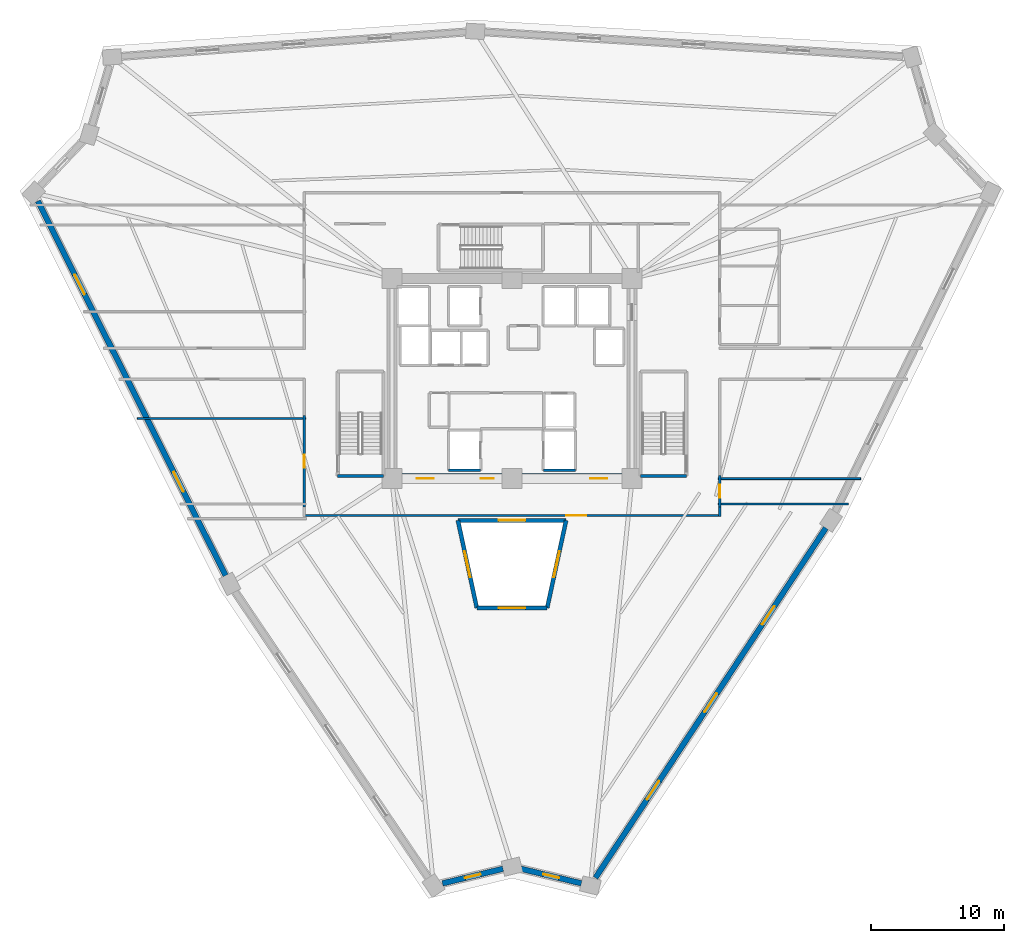
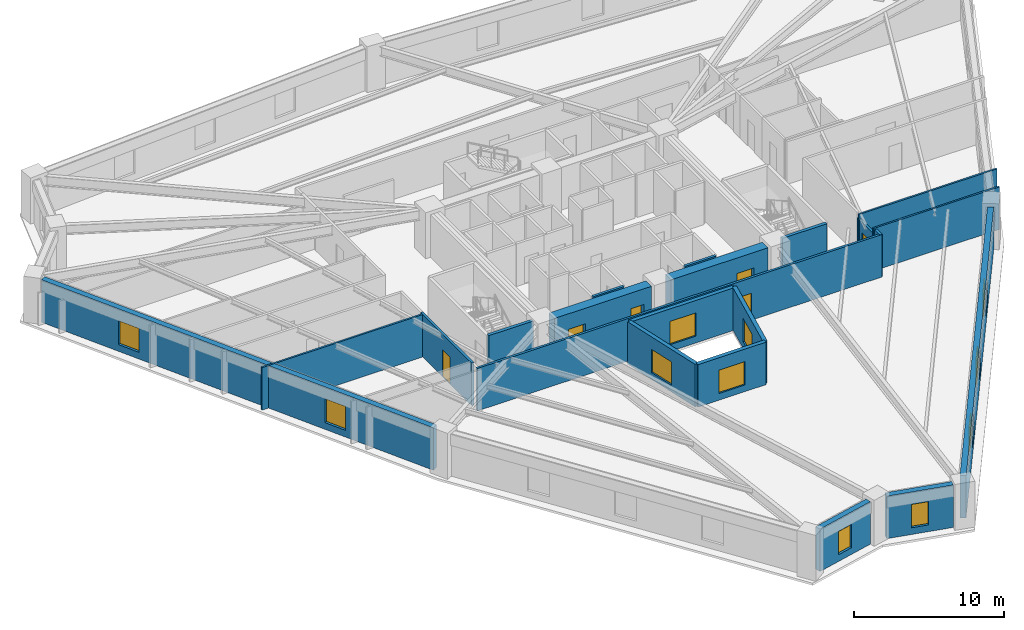
# One storey, part 3 of 8: 21 walls, 11 windows, 6 doors, 17 openings.
"""IFC4 building model written with IfcOpenShell, lengths in metres."""

from ifc_helpers import new_model, si_unit, direction, frame, frame_2d, origin, place, context, subcontext, project, spatial, rectangle, extrude, source, transform, mapped, material, layer, layer_set, type_object, element, fill, save


model = new_model("IFC4")

# Units and contexts
model_context = context("Model", 3, precision=1e-05, world=origin(), true_north=direction((0.0, 1.0)))
body_context = subcontext(model_context, "Body", "Model", "MODEL_VIEW")
ifc_project = project(units=[si_unit("LENGTHUNIT", "METRE"), si_unit("AREAUNIT", "SQUARE_METRE"), si_unit("VOLUMEUNIT", "CUBIC_METRE"), si_unit("PLANEANGLEUNIT", "RADIAN"), si_unit("MASSUNIT", "GRAM", prefix="KILO")], contexts=[model_context])

# Site, building, storey
site_placement = place(None, origin())
site = spatial("IfcSite", under=ifc_project, at=site_placement, CompositionType="ELEMENT")
building_placement = place(site_placement, origin())
building = spatial("IfcBuilding", under=site, at=building_placement, Name="Liaohun Quay Tower", CompositionType="ELEMENT")
storey_placement = place(building_placement, frame((0.0, 0.0, 135.75)))
storey = spatial("IfcBuildingStorey", under=building, at=storey_placement, Name="L35", CompositionType="ELEMENT", Elevation=135.75)

# Wall, opening, window
ifc_material_1 = material(Name="Concrete C50", Category="concrete")
ifc_layer_1 = layer(ifc_material_1, 0.300048828125, Name="Concrete C50", Category="concrete")
ifc_layer_set_1 = layer_set([ifc_layer_1], Name="Concrete C50")
wall_type_1 = type_object("IfcWallType", Name="WAL-ATR-300", PredefinedType="SOLIDWALL", material=ifc_layer_set_1)
wall_1_placement = place(storey_placement, frame((57.364990234375, 36.80810546875, 0.0), z_axis=(0.0, 0.0, 1.0), x_axis=(-0.211351571183, 0.977410105001, 0.0)))
wall_1 = element("IfcWall", 1, at=wall_1_placement, inside=storey, type_object=wall_type_1, Name="L35 Atrium Fire Compartment Wall 1", PredefinedType="SOLIDWALL", context=body_context, shape_type="SweptSolid", body=[
    extrude(rectangle(XDim=6.713623046875, YDim=0.300048828125, at=frame_2d((3.35693359375, 0.0))), origin(), (0.0, 0.0, 1.0), 3.469970703125),
])
shared_shape_1 = source(origin(), body_context, "Body", "SweptSolid", [
    extrude(rectangle(XDim=2.0, YDim=1.89990234375, at=frame_2d((1.0, 0.949951171875))), frame((0.0, 0.159912109375, 0.0), z_axis=(0.0, -1.0, 0.0), x_axis=(1.0, 0.0, 0.0)), (0.0, 0.0, 1.0), 0.320068359375),
])
opening_1_placement = place(wall_1_placement, frame((2.35693359375, 0.0, 0.550048828125)))
opening_1 = element("IfcOpeningElement", 2, at=opening_1_placement, cuts=wall_1, Name="Opening W07", PredefinedType="OPENING", context=body_context, shape_type="MappedRepresentation", body=[
    mapped(shared_shape_1, transform((0.0, 0.0, 0.0), x_axis=(1.0, 0.0, 0.0), y_axis=(0.0, 1.0, 0.0), z_axis=(0.0, 0.0, 1.0), scale=1.0)),
])
ifc_material_2 = material(Name="Class A 180-min fire-resistant insulated glazing", Category="glass")
window_type_1 = type_object("IfcWindowType", Name="WIN-ATR-FIR", PartitioningType="DOUBLE_PANEL_VERTICAL", PredefinedType="WINDOW", material=ifc_material_2)
shared_shape_2 = source(origin(), body_context, "Body", "SweptSolid", [
    extrude(rectangle(XDim=2.0, YDim=1.89990234375, at=frame_2d((1.0, 0.949951171875))), frame((0.0, 0.030029296875, 0.0), z_axis=(0.0, -1.0, 0.0), x_axis=(1.0, 0.0, 0.0)), (0.0, 0.0, 1.0), 0.06005859375),
])
window_1_placement = place(opening_1_placement, origin())
window_1 = element("IfcWindow", 3, at=window_1_placement, inside=storey, type_object=window_type_1, Name="L35 Atrium Fire-Resistant Glazing W07-1", OverallHeight=1.89990234375, OverallWidth=2.0, PartitioningType="DOUBLE_PANEL_VERTICAL", PredefinedType="WINDOW", context=body_context, shape_type="MappedRepresentation", body=[
    mapped(shared_shape_2, transform((0.0, 0.0, 0.0), x_axis=(1.0, 0.0, 0.0), y_axis=(0.0, 1.0, 0.0), z_axis=(0.0, 0.0, 1.0), scale=1.0)),
])
fill(opening_1, window_1)

wall_2_placement = place(storey_placement, frame((55.946044921875, 43.3701171875, 0.0), z_axis=(0.0, 0.0, 1.0), x_axis=(1.0, 0.0, 0.0)))
wall_2 = element("IfcWall", 4, at=wall_2_placement, inside=storey, type_object=wall_type_1, Name="L35 Atrium Fire Compartment Wall 2", PredefinedType="SOLIDWALL", context=body_context, shape_type="SweptSolid", body=[
    extrude(rectangle(XDim=8.10791015625, YDim=0.300048828125, at=frame_2d((4.053955078125, 0.0))), origin(), (0.0, 0.0, 1.0), 3.469970703125),
])
opening_2_placement = place(wall_2_placement, frame((3.053955078125, 0.0, 0.550048828125)))
opening_2 = element("IfcOpeningElement", 5, at=opening_2_placement, cuts=wall_2, Name="Opening W07", PredefinedType="OPENING", context=body_context, shape_type="MappedRepresentation", body=[
    mapped(shared_shape_1, transform((0.0, 0.0, 0.0), x_axis=(1.0, 0.0, 0.0), y_axis=(0.0, 1.0, 0.0), z_axis=(0.0, 0.0, 1.0), scale=1.0)),
])
window_2_placement = place(opening_2_placement, origin())
window_2 = element("IfcWindow", 6, at=window_2_placement, inside=storey, type_object=window_type_1, Name="L35 Atrium Fire-Resistant Glazing W07-2", OverallHeight=1.89990234375, OverallWidth=2.0, PartitioningType="DOUBLE_PANEL_VERTICAL", PredefinedType="WINDOW", context=body_context, shape_type="MappedRepresentation", body=[
    mapped(shared_shape_2, transform((0.0, 0.0, 0.0), x_axis=(1.0, 0.0, 0.0), y_axis=(0.0, 1.0, 0.0), z_axis=(0.0, 0.0, 1.0), scale=1.0)),
])
fill(opening_2, window_2)

wall_3_placement = place(storey_placement, frame((64.053955078125, 43.3701171875, 0.0), z_axis=(0.0, 0.0, 1.0), x_axis=(-0.211351571183, -0.977410105001, 0.0)))
wall_3 = element("IfcWall", 7, at=wall_3_placement, inside=storey, type_object=wall_type_1, Name="L35 Atrium Fire Compartment Wall 3", PredefinedType="SOLIDWALL", context=body_context, shape_type="SweptSolid", body=[
    extrude(rectangle(XDim=6.713623046875, YDim=0.300048828125, at=frame_2d((3.35693359375, 0.0))), origin(), (0.0, 0.0, 1.0), 3.469970703125),
])
opening_3_placement = place(wall_3_placement, frame((2.35693359375, 0.0, 0.550048828125)))
opening_3 = element("IfcOpeningElement", 8, at=opening_3_placement, cuts=wall_3, Name="Opening W07", PredefinedType="OPENING", context=body_context, shape_type="MappedRepresentation", body=[
    mapped(shared_shape_1, transform((0.0, 0.0, 0.0), x_axis=(1.0, 0.0, 0.0), y_axis=(0.0, 1.0, 0.0), z_axis=(0.0, 0.0, 1.0), scale=1.0)),
])
window_3_placement = place(opening_3_placement, origin())
window_3 = element("IfcWindow", 9, at=window_3_placement, inside=storey, type_object=window_type_1, Name="L35 Atrium Fire-Resistant Glazing W07-3", OverallHeight=1.89990234375, OverallWidth=2.0, PartitioningType="DOUBLE_PANEL_VERTICAL", PredefinedType="WINDOW", context=body_context, shape_type="MappedRepresentation", body=[
    mapped(shared_shape_2, transform((0.0, 0.0, 0.0), x_axis=(1.0, 0.0, 0.0), y_axis=(0.0, 1.0, 0.0), z_axis=(0.0, 0.0, 1.0), scale=1.0)),
])
fill(opening_3, window_3)

wall_4_placement = place(storey_placement, frame((62.635009765625, 36.80810546875, 0.0), z_axis=(0.0, 0.0, 1.0), x_axis=(-1.0, 0.0, 0.0)))
wall_4 = element("IfcWall", 10, at=wall_4_placement, inside=storey, type_object=wall_type_1, Name="L35 Atrium Fire Compartment Wall 4", PredefinedType="SOLIDWALL", context=body_context, shape_type="SweptSolid", body=[
    extrude(rectangle(XDim=5.27001953125, YDim=0.300048828125, at=frame_2d((2.635009765625, 0.0))), origin(), (0.0, 0.0, 1.0), 3.469970703125),
])
opening_4_placement = place(wall_4_placement, frame((1.635009765625, 0.0, 0.550048828125)))
opening_4 = element("IfcOpeningElement", 11, at=opening_4_placement, cuts=wall_4, Name="Opening W07", PredefinedType="OPENING", context=body_context, shape_type="MappedRepresentation", body=[
    mapped(shared_shape_1, transform((0.0, 0.0, 0.0), x_axis=(1.0, 0.0, 0.0), y_axis=(0.0, 1.0, 0.0), z_axis=(0.0, 0.0, 1.0), scale=1.0)),
])
window_4_placement = place(opening_4_placement, origin())
window_4 = element("IfcWindow", 12, at=window_4_placement, inside=storey, type_object=window_type_1, Name="L35 Atrium Fire-Resistant Glazing W07-4", OverallHeight=1.89990234375, OverallWidth=2.0, PartitioningType="DOUBLE_PANEL_VERTICAL", PredefinedType="WINDOW", context=body_context, shape_type="MappedRepresentation", body=[
    mapped(shared_shape_2, transform((0.0, 0.0, 0.0), x_axis=(1.0, 0.0, 0.0), y_axis=(0.0, 1.0, 0.0), z_axis=(0.0, 0.0, 1.0), scale=1.0)),
])
fill(opening_4, window_4)

# Wall, opening, door
ifc_material_3 = material(Name="Concrete C60", Category="concrete")
ifc_layer_2 = layer(ifc_material_3, 0.75, Name="Concrete C60", Category="concrete")
ifc_layer_set_2 = layer_set([ifc_layer_2], Name="Concrete C60")
wall_type_2 = type_object("IfcWallType", Name="WAL-COR-Z2", PredefinedType="SHEAR", material=ifc_layer_set_2)
wall_5_placement = place(storey_placement, frame((68.25, 46.5, 0.0), z_axis=(0.0, 0.0, 1.0), x_axis=(-1.0, 0.0, 0.0)))
wall_5 = element("IfcWall", 13, at=wall_5_placement, inside=storey, type_object=wall_type_2, Name="L35 Central Core Shear Wall S-E", PredefinedType="SHEAR", context=body_context, shape_type="SweptSolid", body=[
    extrude(rectangle(XDim=7.5, YDim=0.75, at=frame_2d((3.75, 0.0))), origin(), (0.0, 0.0, 1.0), 3.469970703125),
])
shared_shape_3 = source(origin(), body_context, "Body", "SweptSolid", [
    extrude(rectangle(XDim=1.300048828125, YDim=2.199951171875, at=frame_2d((0.64990234375, 1.10009765625))), frame((0.0, 0.385009765625, 0.0), z_axis=(0.0, -1.0, 0.0), x_axis=(1.0, 0.0, 0.0)), (0.0, 0.0, 1.0), 0.77001953125),
])
opening_5_placement = place(wall_5_placement, frame((1.10009765625, 0.0, 0.0)))
opening_5 = element("IfcOpeningElement", 14, at=opening_5_placement, cuts=wall_5, Name="Opening FD1", PredefinedType="OPENING", context=body_context, shape_type="MappedRepresentation", body=[
    mapped(shared_shape_3, transform((0.0, 0.0, 0.0), x_axis=(1.0, 0.0, 0.0), y_axis=(0.0, 1.0, 0.0), z_axis=(0.0, 0.0, 1.0), scale=1.0)),
])
ifc_material_4 = material(Name="Galvanised steel smokeproof fire door", Category="steel")
door_type_1 = type_object("IfcDoorType", Name="DOR-FFL-1300", OperationType="NOTDEFINED", PredefinedType="DOOR", material=ifc_material_4)
shared_shape_4 = source(origin(), body_context, "Body", "SweptSolid", [
    extrude(rectangle(XDim=1.300048828125, YDim=2.199951171875, at=frame_2d((0.64990234375, 1.10009765625))), frame((0.0, 0.02490234375, 0.0), z_axis=(0.0, -1.0, 0.0), x_axis=(1.0, 0.0, 0.0)), (0.0, 0.0, 1.0), 0.050048828125),
])
door_1_placement = place(opening_5_placement, origin())
door_1 = element("IfcDoor", 15, at=door_1_placement, inside=storey, type_object=door_type_1, Name="L35 East Core Lift Lobby Smokeproof Door", OperationType="SINGLE_SWING_LEFT", OverallHeight=2.199951171875, OverallWidth=1.300048828125, PredefinedType="DOOR", context=body_context, shape_type="MappedRepresentation", body=[
    mapped(shared_shape_4, transform((0.0, 0.0, 0.0), x_axis=(1.0, 0.0, 0.0), y_axis=(0.0, 1.0, 0.0), z_axis=(0.0, 0.0, 1.0), scale=1.0)),
])
fill(opening_5, door_1)

# Wall, openings, doors
wall_6_placement = place(storey_placement, frame((59.25, 46.5, 0.0), z_axis=(0.0, 0.0, 1.0), x_axis=(-1.0, 0.0, 0.0)))
wall_6 = element("IfcWall", 16, at=wall_6_placement, inside=storey, type_object=wall_type_2, Name="L35 Central Core Shear Wall S-W", PredefinedType="SHEAR", context=body_context, shape_type="SweptSolid", body=[
    extrude(rectangle(XDim=7.5, YDim=0.75, at=frame_2d((3.75, 0.0))), origin(), (0.0, 0.0, 1.0), 3.469970703125),
])
opening_6_placement = place(wall_6_placement, frame((5.10009765625, 0.0, 0.0)))
opening_6 = element("IfcOpeningElement", 17, at=opening_6_placement, cuts=wall_6, Name="Opening FD1", PredefinedType="OPENING", context=body_context, shape_type="MappedRepresentation", body=[
    mapped(shared_shape_3, transform((0.0, 0.0, 0.0), x_axis=(1.0, 0.0, 0.0), y_axis=(0.0, 1.0, 0.0), z_axis=(0.0, 0.0, 1.0), scale=1.0)),
])
shared_shape_5 = source(origin(), body_context, "Body", "SweptSolid", [
    extrude(rectangle(XDim=1.0, YDim=2.199951171875, at=frame_2d((0.5, 1.10009765625))), frame((0.0, 0.385009765625, 0.0), z_axis=(0.0, -1.0, 0.0), x_axis=(1.0, 0.0, 0.0)), (0.0, 0.0, 1.0), 0.77001953125),
])
opening_7_placement = place(wall_6_placement, frame((0.60009765625, 0.0, 0.0)))
opening_7 = element("IfcOpeningElement", 18, at=opening_7_placement, cuts=wall_6, Name="Opening FD2", PredefinedType="OPENING", context=body_context, shape_type="MappedRepresentation", body=[
    mapped(shared_shape_5, transform((0.0, 0.0, 0.0), x_axis=(1.0, 0.0, 0.0), y_axis=(0.0, 1.0, 0.0), z_axis=(0.0, 0.0, 1.0), scale=1.0)),
])
door_2_placement = place(opening_6_placement, origin())
door_2 = element("IfcDoor", 19, at=door_2_placement, inside=storey, type_object=door_type_1, Name="L35 West Core Lift Lobby Smokeproof Door", OperationType="SINGLE_SWING_RIGHT", OverallHeight=2.199951171875, OverallWidth=1.300048828125, PredefinedType="DOOR", context=body_context, shape_type="MappedRepresentation", body=[
    mapped(shared_shape_4, transform((0.0, 0.0, 0.0), x_axis=(1.0, 0.0, 0.0), y_axis=(0.0, 1.0, 0.0), z_axis=(0.0, 0.0, 1.0), scale=1.0)),
])
fill(opening_6, door_2)
ifc_material_5 = material(Name="Galvanised steel smokeproof lobby fire door", Category="steel")
door_type_2 = type_object("IfcDoorType", Name="DOR-FFL-1000", OperationType="NOTDEFINED", PredefinedType="DOOR", material=ifc_material_5)
shared_shape_6 = source(origin(), body_context, "Body", "SweptSolid", [
    extrude(rectangle(XDim=1.0, YDim=2.199951171875, at=frame_2d((0.5, 1.10009765625))), frame((0.0, 0.02490234375, 0.0), z_axis=(0.0, -1.0, 0.0), x_axis=(1.0, 0.0, 0.0)), (0.0, 0.0, 1.0), 0.050048828125),
])
door_3_placement = place(opening_7_placement, origin())
door_3 = element("IfcDoor", 20, at=door_3_placement, inside=storey, type_object=door_type_2, Name="L35 South Firefighting Lobby Smokeproof Door", OperationType="SINGLE_SWING_LEFT", OverallHeight=2.199951171875, OverallWidth=1.0, PredefinedType="DOOR", context=body_context, shape_type="MappedRepresentation", body=[
    mapped(shared_shape_6, transform((0.0, 0.0, 0.0), x_axis=(1.0, 0.0, 0.0), y_axis=(0.0, 1.0, 0.0), z_axis=(0.0, 0.0, 1.0), scale=1.0)),
])
fill(opening_7, door_3)

# Wall, opening, window
ifc_material_6 = material(Name="Precast concrete C50 insulated sandwich", Category="concrete")
ifc_layer_3 = layer(ifc_material_6, 0.419921875, Name="Precast concrete C50 insulated sandwich", Category="concrete")
ifc_layer_set_3 = layer_set([ifc_layer_3], Name="Precast concrete C50 insulated sandwich")
wall_type_3 = type_object("IfcWallType", Name="WAL-EXT-Z12", PredefinedType="SOLIDWALL", material=ifc_layer_set_3)
wall_7_placement = place(storey_placement, frame((60.6708984375, 17.27197265625, 0.0), z_axis=(0.0, 0.0, 1.0), x_axis=(0.972080559641, -0.234647364291, 0.0)))
wall_7 = element("IfcWall", 21, at=wall_7_placement, inside=storey, type_object=wall_type_3, Name="L35 Brutalist Precast Pier Wall 01", PredefinedType="SOLIDWALL", context=body_context, shape_type="SweptSolid", body=[
    extrude(rectangle(XDim=4.658203125, YDim=0.419921875, at=frame_2d((2.3291015625, 0.0))), origin(), (0.0, 0.0, 1.0), 3.469970703125),
])
shared_shape_7 = source(origin(), body_context, "Body", "SweptSolid", [
    extrude(rectangle(XDim=1.199951171875, YDim=1.89990234375, at=frame_2d((0.60009765625, 0.949951171875))), frame((0.0, 0.219970703125, 0.0), z_axis=(0.0, -1.0, 0.0), x_axis=(1.0, 0.0, 0.0)), (0.0, 0.0, 1.0), 0.43994140625),
])
opening_8_placement = place(wall_7_placement, frame((1.72900390625, 0.0, 0.550048828125)))
opening_8 = element("IfcOpeningElement", 22, at=opening_8_placement, cuts=wall_7, Name="Opening W05", PredefinedType="OPENING", context=body_context, shape_type="MappedRepresentation", body=[
    mapped(shared_shape_7, transform((0.0, 0.0, 0.0), x_axis=(1.0, 0.0, 0.0), y_axis=(0.0, 1.0, 0.0), z_axis=(0.0, 0.0, 1.0), scale=1.0)),
])
ifc_material_7 = material(Name="Triple Low-E corner notch glazing", Category="glass")
window_type_2 = type_object("IfcWindowType", Name="WIN-NOTCH", PartitioningType="SINGLE_PANEL", PredefinedType="WINDOW", material=ifc_material_7)
shared_shape_8 = source(origin(), body_context, "Body", "SweptSolid", [
    extrude(rectangle(XDim=1.199951171875, YDim=1.89990234375, at=frame_2d((0.60009765625, 0.949951171875))), frame((0.0, 0.030029296875, 0.0), z_axis=(0.0, -1.0, 0.0), x_axis=(1.0, 0.0, 0.0)), (0.0, 0.0, 1.0), 0.06005859375),
])
window_5_placement = place(opening_8_placement, origin())
window_5 = element("IfcWindow", 23, at=window_5_placement, inside=storey, type_object=window_type_2, Name="L35 Corner Notch Window W05-01", OverallHeight=1.89990234375, OverallWidth=1.199951171875, PartitioningType="SINGLE_PANEL", PredefinedType="WINDOW", context=body_context, shape_type="MappedRepresentation", body=[
    mapped(shared_shape_8, transform((0.0, 0.0, 0.0), x_axis=(1.0, 0.0, 0.0), y_axis=(0.0, 1.0, 0.0), z_axis=(0.0, 0.0, 1.0), scale=1.0)),
])
fill(opening_8, window_5)

# Wall, openings, windows
wall_8_placement = place(storey_placement, frame((66.25, 16.593017578125, 0.0), z_axis=(0.0, 0.0, 1.0), x_axis=(0.550080155958, 0.835111861981, 0.0)))
wall_8 = element("IfcWall", 24, at=wall_8_placement, inside=storey, type_object=wall_type_3, Name="L35 Brutalist Precast Pier Wall 02", PredefinedType="SOLIDWALL", context=body_context, shape_type="SweptSolid", body=[
    extrude(rectangle(XDim=31.38623046875, YDim=0.419921875, at=frame_2d((15.693115234375, 0.0))), origin(), (0.0, 0.0, 1.0), 3.469970703125),
])
shared_shape_9 = source(origin(), body_context, "Body", "SweptSolid", [
    extrude(rectangle(XDim=1.64990234375, YDim=1.949951171875, at=frame_2d((0.824951171875, 0.97509765625))), frame((0.0, 0.219970703125, 0.0), z_axis=(0.0, -1.0, 0.0), x_axis=(1.0, 0.0, 0.0)), (0.0, 0.0, 1.0), 0.43994140625),
])
opening_9_placement = place(wall_8_placement, frame((7.02197265625, 0.0, 0.550048828125)))
opening_9 = element("IfcOpeningElement", 25, at=opening_9_placement, cuts=wall_8, Name="Opening W02", PredefinedType="OPENING", context=body_context, shape_type="MappedRepresentation", body=[
    mapped(shared_shape_9, transform((0.0, 0.0, 0.0), x_axis=(1.0, 0.0, 0.0), y_axis=(0.0, 1.0, 0.0), z_axis=(0.0, 0.0, 1.0), scale=1.0)),
])
opening_10_placement = place(wall_8_placement, frame((14.867919921875, 0.0, 0.550048828125)))
opening_10 = element("IfcOpeningElement", 26, at=opening_10_placement, cuts=wall_8, Name="Opening W02", PredefinedType="OPENING", context=body_context, shape_type="MappedRepresentation", body=[
    mapped(shared_shape_9, transform((0.0, 0.0, 0.0), x_axis=(1.0, 0.0, 0.0), y_axis=(0.0, 1.0, 0.0), z_axis=(0.0, 0.0, 1.0), scale=1.0)),
])
opening_11_placement = place(wall_8_placement, frame((22.715087890625, 0.0, 0.550048828125)))
opening_11 = element("IfcOpeningElement", 27, at=opening_11_placement, cuts=wall_8, Name="Opening W02", PredefinedType="OPENING", context=body_context, shape_type="MappedRepresentation", body=[
    mapped(shared_shape_9, transform((0.0, 0.0, 0.0), x_axis=(1.0, 0.0, 0.0), y_axis=(0.0, 1.0, 0.0), z_axis=(0.0, 0.0, 1.0), scale=1.0)),
])
ifc_material_8 = material(Name="Triple Low-E argon glazing in thermally broken aluminium", Category="aluminium")
window_type_3 = type_object("IfcWindowType", Name="WIN-PUN-Z2", PartitioningType="DOUBLE_PANEL_VERTICAL", PredefinedType="WINDOW", material=ifc_material_8)
shared_shape_10 = source(origin(), body_context, "Body", "SweptSolid", [
    extrude(rectangle(XDim=1.64990234375, YDim=1.949951171875, at=frame_2d((0.824951171875, 0.97509765625))), frame((0.0, 0.030029296875, 0.0), z_axis=(0.0, -1.0, 0.0), x_axis=(1.0, 0.0, 0.0)), (0.0, 0.0, 1.0), 0.06005859375),
])
window_6_placement = place(opening_9_placement, origin())
window_6 = element("IfcWindow", 28, at=window_6_placement, inside=storey, type_object=window_type_3, Name="L35 Recessed Cold-Climate Punched Window 02-1", OverallHeight=1.949951171875, OverallWidth=1.64990234375, PartitioningType="DOUBLE_PANEL_VERTICAL", PredefinedType="WINDOW", context=body_context, shape_type="MappedRepresentation", body=[
    mapped(shared_shape_10, transform((0.0, 0.0, 0.0), x_axis=(1.0, 0.0, 0.0), y_axis=(0.0, 1.0, 0.0), z_axis=(0.0, 0.0, 1.0), scale=1.0)),
])
fill(opening_9, window_6)
window_7_placement = place(opening_10_placement, origin())
window_7 = element("IfcWindow", 29, at=window_7_placement, inside=storey, type_object=window_type_3, Name="L35 Recessed Cold-Climate Punched Window 02-2", OverallHeight=1.949951171875, OverallWidth=1.64990234375, PartitioningType="DOUBLE_PANEL_VERTICAL", PredefinedType="WINDOW", context=body_context, shape_type="MappedRepresentation", body=[
    mapped(shared_shape_10, transform((0.0, 0.0, 0.0), x_axis=(1.0, 0.0, 0.0), y_axis=(0.0, 1.0, 0.0), z_axis=(0.0, 0.0, 1.0), scale=1.0)),
])
fill(opening_10, window_7)
window_8_placement = place(opening_11_placement, origin())
window_8 = element("IfcWindow", 30, at=window_8_placement, inside=storey, type_object=window_type_3, Name="L35 Recessed Cold-Climate Punched Window 02-3", OverallHeight=1.949951171875, OverallWidth=1.64990234375, PartitioningType="DOUBLE_PANEL_VERTICAL", PredefinedType="WINDOW", context=body_context, shape_type="MappedRepresentation", body=[
    mapped(shared_shape_10, transform((0.0, 0.0, 0.0), x_axis=(1.0, 0.0, 0.0), y_axis=(0.0, 1.0, 0.0), z_axis=(0.0, 0.0, 1.0), scale=1.0)),
])
fill(opening_11, window_8)

wall_9_placement = place(storey_placement, frame((24.47998046875, 67.2919921875, 0.0), z_axis=(0.0, 0.0, 1.0), x_axis=(0.44812813106, -0.893969338486, 0.0)))
wall_9 = element("IfcWall", 31, at=wall_9_placement, inside=storey, type_object=wall_type_3, Name="L35 Brutalist Precast Pier Wall 10", PredefinedType="SOLIDWALL", context=body_context, shape_type="SweptSolid", body=[
    extrude(rectangle(XDim=31.385986328125, YDim=0.419921875, at=frame_2d((15.69287109375, 0.0))), origin(), (0.0, 0.0, 1.0), 3.469970703125),
])
opening_12_placement = place(wall_9_placement, frame((6.1708984375, 0.0, 0.550048828125)))
opening_12 = element("IfcOpeningElement", 32, at=opening_12_placement, cuts=wall_9, Name="Opening W02", PredefinedType="OPENING", context=body_context, shape_type="MappedRepresentation", body=[
    mapped(shared_shape_9, transform((0.0, 0.0, 0.0), x_axis=(1.0, 0.0, 0.0), y_axis=(0.0, 1.0, 0.0), z_axis=(0.0, 0.0, 1.0), scale=1.0)),
])
opening_13_placement = place(wall_9_placement, frame((22.714111328125, 0.0, 0.550048828125)))
opening_13 = element("IfcOpeningElement", 33, at=opening_13_placement, cuts=wall_9, Name="Opening W02", PredefinedType="OPENING", context=body_context, shape_type="MappedRepresentation", body=[
    mapped(shared_shape_9, transform((0.0, 0.0, 0.0), x_axis=(1.0, 0.0, 0.0), y_axis=(0.0, 1.0, 0.0), z_axis=(0.0, 0.0, 1.0), scale=1.0)),
])
window_9_placement = place(opening_12_placement, origin())
window_9 = element("IfcWindow", 34, at=window_9_placement, inside=storey, type_object=window_type_3, Name="L35 Recessed Cold-Climate Punched Window 10-1", OverallHeight=1.949951171875, OverallWidth=1.64990234375, PartitioningType="DOUBLE_PANEL_VERTICAL", PredefinedType="WINDOW", context=body_context, shape_type="MappedRepresentation", body=[
    mapped(shared_shape_10, transform((0.0, 0.0, 0.0), x_axis=(1.0, 0.0, 0.0), y_axis=(0.0, 1.0, 0.0), z_axis=(0.0, 0.0, 1.0), scale=1.0)),
])
fill(opening_12, window_9)
window_10_placement = place(opening_13_placement, origin())
window_10 = element("IfcWindow", 35, at=window_10_placement, inside=storey, type_object=window_type_3, Name="L35 Recessed Cold-Climate Punched Window 10-3", OverallHeight=1.949951171875, OverallWidth=1.64990234375, PartitioningType="DOUBLE_PANEL_VERTICAL", PredefinedType="WINDOW", context=body_context, shape_type="MappedRepresentation", body=[
    mapped(shared_shape_10, transform((0.0, 0.0, 0.0), x_axis=(1.0, 0.0, 0.0), y_axis=(0.0, 1.0, 0.0), z_axis=(0.0, 0.0, 1.0), scale=1.0)),
])
fill(opening_13, window_10)

# Wall, opening, window
wall_10_placement = place(storey_placement, frame((54.7939453125, 16.177001953125, 0.0), z_axis=(0.0, 0.0, 1.0), x_axis=(0.972068624852, 0.234696801381, 0.0)))
wall_10 = element("IfcWall", 36, at=wall_10_placement, inside=storey, type_object=wall_type_3, Name="L35 Brutalist Precast Pier Wall 12", PredefinedType="SOLIDWALL", context=body_context, shape_type="SweptSolid", body=[
    extrude(rectangle(XDim=4.66552734375, YDim=0.419921875, at=frame_2d((2.332763671875, 0.0))), origin(), (0.0, 0.0, 1.0), 3.469970703125),
])
opening_14_placement = place(wall_10_placement, frame((1.73291015625, 0.0, 0.550048828125)))
opening_14 = element("IfcOpeningElement", 37, at=opening_14_placement, cuts=wall_10, Name="Opening W05", PredefinedType="OPENING", context=body_context, shape_type="MappedRepresentation", body=[
    mapped(shared_shape_7, transform((0.0, 0.0, 0.0), x_axis=(1.0, 0.0, 0.0), y_axis=(0.0, 1.0, 0.0), z_axis=(0.0, 0.0, 1.0), scale=1.0)),
])
window_11_placement = place(opening_14_placement, origin())
window_11 = element("IfcWindow", 38, at=window_11_placement, inside=storey, type_object=window_type_2, Name="L35 Corner Notch Window W05-12", OverallHeight=1.89990234375, OverallWidth=1.199951171875, PartitioningType="SINGLE_PANEL", PredefinedType="WINDOW", context=body_context, shape_type="MappedRepresentation", body=[
    mapped(shared_shape_8, transform((0.0, 0.0, 0.0), x_axis=(1.0, 0.0, 0.0), y_axis=(0.0, 1.0, 0.0), z_axis=(0.0, 0.0, 1.0), scale=1.0)),
])
fill(opening_14, window_11)

# Wall, opening, door
ifc_material_9 = material(Name="Autoclaved aerated concrete blockwork", Category="masonry")
ifc_layer_4 = layer(ifc_material_9, 0.179931640625, Name="Autoclaved aerated concrete blockwork", Category="masonry")
ifc_layer_set_4 = layer_set([ifc_layer_4], Name="Autoclaved aerated concrete blockwork")
wall_type_4 = type_object("IfcWallType", Name="WAL-PRT-COR", PredefinedType="PARTITIONING", material=ifc_layer_set_4)
wall_11_placement = place(storey_placement, frame((44.43994140625, 44.385009765625, 0.0), z_axis=(0.0, 0.0, 1.0), x_axis=(0.0, 1.0, 0.0)))
wall_11 = element("IfcWall", 39, at=wall_11_placement, inside=storey, type_object=wall_type_4, Name="L35 Interior Partition Wall 017", PredefinedType="PARTITIONING", context=body_context, shape_type="SweptSolid", body=[
    extrude(rectangle(XDim=6.830078125, YDim=0.179931640625, at=frame_2d((3.4150390625, 0.0))), origin(), (0.0, 0.0, 1.0), 3.469970703125),
])
shared_shape_11 = source(origin(), body_context, "Body", "SweptSolid", [
    extrude(rectangle(XDim=1.0, YDim=2.199951171875, at=frame_2d((0.5, 1.10009765625))), frame((0.0, 0.099853515625, 0.0), z_axis=(0.0, -1.0, 0.0), x_axis=(1.0, 0.0, 0.0)), (0.0, 0.0, 1.0), 0.199951171875),
])
opening_15_placement = place(wall_11_placement, frame((2.9150390625, 0.0, 0.0)))
opening_15 = element("IfcOpeningElement", 40, at=opening_15_placement, cuts=wall_11, Name="Opening OD1", PredefinedType="OPENING", context=body_context, shape_type="MappedRepresentation", body=[
    mapped(shared_shape_11, transform((0.0, 0.0, 0.0), x_axis=(1.0, 0.0, 0.0), y_axis=(0.0, 1.0, 0.0), z_axis=(0.0, 0.0, 1.0), scale=1.0)),
])
ifc_material_10 = material(Name="Solid-core oak veneer timber leaf in steel frame", Category="steel")
door_type_3 = type_object("IfcDoorType", Name="DOR-OFF-1000", OperationType="NOTDEFINED", PredefinedType="DOOR", material=ifc_material_10)
door_4_placement = place(opening_15_placement, origin())
door_4 = element("IfcDoor", 41, at=door_4_placement, inside=storey, type_object=door_type_3, Name="L35 Technical Reference Library 07 Door", OperationType="SINGLE_SWING_LEFT", OverallHeight=2.199951171875, OverallWidth=1.0, PredefinedType="DOOR", context=body_context, shape_type="MappedRepresentation", body=[
    mapped(shared_shape_6, transform((0.0, 0.0, 0.0), x_axis=(1.0, 0.0, 0.0), y_axis=(0.0, 1.0, 0.0), z_axis=(0.0, 0.0, 1.0), scale=1.0)),
])
fill(opening_15, door_4)

wall_12_placement = place(storey_placement, frame((75.6298828125, 43.739990234375, 0.0), z_axis=(0.0, 0.0, 1.0), x_axis=(-1.0, 0.0, 0.0)))
wall_12 = element("IfcWall", 42, at=wall_12_placement, inside=storey, type_object=wall_type_4, Name="L35 Interior Partition Wall 018", PredefinedType="PARTITIONING", context=body_context, shape_type="SweptSolid", body=[
    extrude(rectangle(XDim=31.259765625, YDim=0.179931640625, at=frame_2d((15.6298828125, 0.0))), origin(), (0.0, 0.0, 1.0), 3.469970703125),
])
shared_shape_12 = source(origin(), body_context, "Body", "SweptSolid", [
    extrude(rectangle(XDim=1.5, YDim=2.199951171875, at=frame_2d((0.75, 1.10009765625))), frame((0.0, 0.099853515625, 0.0), z_axis=(0.0, -1.0, 0.0), x_axis=(1.0, 0.0, 0.0)), (0.0, 0.0, 1.0), 0.199951171875),
])
opening_16_placement = place(wall_12_placement, frame((10.080078125, 0.0, 0.0)))
opening_16 = element("IfcOpeningElement", 43, at=opening_16_placement, cuts=wall_12, Name="Opening OD2", PredefinedType="OPENING", context=body_context, shape_type="MappedRepresentation", body=[
    mapped(shared_shape_12, transform((0.0, 0.0, 0.0), x_axis=(1.0, 0.0, 0.0), y_axis=(0.0, 1.0, 0.0), z_axis=(0.0, 0.0, 1.0), scale=1.0)),
])
ifc_material_11 = material(Name="Acoustic oak veneer double door")
door_type_4 = type_object("IfcDoorType", Name="DOR-OFF-1500", OperationType="DOUBLE_DOOR_SINGLE_SWING", PredefinedType="DOOR", material=ifc_material_11)
shared_shape_13 = source(origin(), body_context, "Body", "SweptSolid", [
    extrude(rectangle(XDim=1.5, YDim=2.199951171875, at=frame_2d((0.75, 1.10009765625))), frame((0.0, 0.02490234375, 0.0), z_axis=(0.0, -1.0, 0.0), x_axis=(1.0, 0.0, 0.0)), (0.0, 0.0, 1.0), 0.050048828125),
])
door_5_placement = place(opening_16_placement, origin())
door_5 = element("IfcDoor", 44, at=door_5_placement, inside=storey, type_object=door_type_4, Name="L35 Engineering Model Workshop 08 Door", OperationType="DOUBLE_DOOR_SINGLE_SWING", OverallHeight=2.199951171875, OverallWidth=1.5, PredefinedType="DOOR", context=body_context, shape_type="MappedRepresentation", body=[
    mapped(shared_shape_13, transform((0.0, 0.0, 0.0), x_axis=(1.0, 0.0, 0.0), y_axis=(0.0, 1.0, 0.0), z_axis=(0.0, 0.0, 1.0), scale=1.0)),
])
fill(opening_16, door_5)

wall_13_placement = place(storey_placement, frame((75.56005859375, 46.715087890625, 0.0), z_axis=(0.0, 0.0, 1.0), x_axis=(0.0, -1.0, 0.0)))
wall_13 = element("IfcWall", 45, at=wall_13_placement, inside=storey, type_object=wall_type_4, Name="L35 Interior Partition Wall 019", PredefinedType="PARTITIONING", context=body_context, shape_type="SweptSolid", body=[
    extrude(rectangle(XDim=2.330078125, YDim=0.179931640625, at=frame_2d((1.1650390625, 0.0))), origin(), (0.0, 0.0, 1.0), 3.054931640625),
])
opening_17_placement = place(wall_13_placement, frame((0.6650390625, 0.0, 0.0)))
opening_17 = element("IfcOpeningElement", 46, at=opening_17_placement, cuts=wall_13, Name="Opening OD1", PredefinedType="OPENING", context=body_context, shape_type="MappedRepresentation", body=[
    mapped(shared_shape_11, transform((0.0, 0.0, 0.0), x_axis=(1.0, 0.0, 0.0), y_axis=(0.0, 1.0, 0.0), z_axis=(0.0, 0.0, 1.0), scale=1.0)),
])
door_6_placement = place(opening_17_placement, origin())
door_6 = element("IfcDoor", 47, at=door_6_placement, inside=storey, type_object=door_type_3, Name="L35 Records Archive Store 09 Door", OperationType="SINGLE_SWING_LEFT", OverallHeight=2.199951171875, OverallWidth=1.0, PredefinedType="DOOR", context=body_context, shape_type="MappedRepresentation", body=[
    mapped(shared_shape_6, transform((0.0, 0.0, 0.0), x_axis=(1.0, 0.0, 0.0), y_axis=(0.0, 1.0, 0.0), z_axis=(0.0, 0.0, 1.0), scale=1.0)),
])
fill(opening_17, door_6)

# Walls
wall_14_placement = place(storey_placement, frame((75.56005859375, 44.385009765625, 0.0), z_axis=(0.0, 0.0, 1.0), x_axis=(0.0, -1.0, 0.0)))
element("IfcWall", 48, at=wall_14_placement, inside=storey, type_object=wall_type_4, Name="L35 Interior Partition Wall 040", PredefinedType="PARTITIONING", context=body_context, shape_type="SweptSolid", body=[
    extrude(rectangle(XDim=0.715087890625, YDim=0.179931640625, at=frame_2d((0.357421875, 0.0))), origin(), (0.0, 0.0, 1.0), 3.469970703125),
])
ifc_material_12 = material(Name="Gypsum board on twin steel studs", Category="steel")
ifc_layer_5 = layer(ifc_material_12, 0.139892578125, Name="Gypsum board on twin steel studs", Category="steel")
ifc_layer_set_5 = layer_set([ifc_layer_5], Name="Gypsum board on twin steel studs")
wall_type_5 = type_object("IfcWallType", Name="WAL-PRT-OFF", PredefinedType="PARTITIONING", material=ifc_layer_set_5)
wall_15_placement = place(storey_placement, frame((44.5400390625, 51.0, 0.0), z_axis=(0.0, 0.0, 1.0), x_axis=(-1.0, 0.0, 0.0)))
element("IfcWall", 49, at=wall_15_placement, inside=storey, type_object=wall_type_5, Name="L35 Interior Partition Wall 044", PredefinedType="PARTITIONING", context=body_context, shape_type="SweptSolid", body=[
    extrude(rectangle(XDim=12.59814453125, YDim=0.139892578125, at=frame_2d((6.299072265625, 0.0))), origin(), (0.0, 0.0, 1.0), 3.469970703125),
])
wall_16_placement = place(storey_placement, frame((75.4599609375, 44.60009765625, 0.0), z_axis=(0.0, 0.0, 1.0), x_axis=(1.0, 0.0, 0.0)))
element("IfcWall", 50, at=wall_16_placement, inside=storey, type_object=wall_type_5, Name="L35 Interior Partition Wall 048", PredefinedType="PARTITIONING", context=body_context, shape_type="SweptSolid", body=[
    extrude(rectangle(XDim=9.72998046875, YDim=0.139892578125, at=frame_2d((4.864990234375, 0.0))), origin(), (0.0, 0.0, 1.0), 3.469970703125),
])
wall_17_placement = place(storey_placement, frame((75.4599609375, 46.5, 0.0), z_axis=(0.0, 0.0, 1.0), x_axis=(1.0, 0.0, 0.0)))
element("IfcWall", 51, at=wall_17_placement, inside=storey, type_object=wall_type_5, Name="L35 Interior Partition Wall 049", PredefinedType="PARTITIONING", context=body_context, shape_type="SweptSolid", body=[
    extrude(rectangle(XDim=10.655029296875, YDim=0.139892578125, at=frame_2d((5.32763671875, 0.0))), origin(), (0.0, 0.0, 1.0), 3.469970703125),
])
ifc_layer_6 = layer(ifc_material_1, 0.239990234375, Name="Concrete C50", Category="concrete")
ifc_layer_set_6 = layer_set([ifc_layer_6], Name="Concrete C50")
wall_type_6 = type_object("IfcWallType", Name="WAL-SHF-200", PredefinedType="SOLIDWALL", material=ifc_layer_set_6)
for number, where, z_axis, x_axis, name in (
    (52, (46.93994140625, 46.699951171875, 0.0), (0.0, 0.0, 1.0), (1.0, 0.0, 0.0), "L35 Stairwell ST-1 Structural Core Wall S"),
    (53, (69.6201171875, 46.699951171875, 0.0), (0.0, 0.0, 1.0), (1.0, 0.0, 0.0), "L35 Stairwell ST-2 Structural Core Wall S"),
):
    element("IfcWall", number, at=place(storey_placement, frame(where, z_axis=z_axis, x_axis=x_axis)), inside=storey, type_object=wall_type_6, Name=name, PredefinedType="SOLIDWALL", context=body_context, shape_type="SweptSolid", body=[
        extrude(rectangle(XDim=3.43994140625, YDim=0.239990234375, at=frame_2d((1.719970703125, 0.0))), origin(), (0.0, 0.0, 1.0), 3.469970703125),
    ])
for number, where, z_axis, x_axis, name in (
    (54, (55.25, 47.1201171875, 0.0), (0.0, 0.0, 1.0), (1.0, 0.0, 0.0), "L35 Lift FF-01 Hoistway Wall S"),
    (55, (62.35009765625, 47.1201171875, 0.0), (0.0, 0.0, 1.0), (1.0, 0.0, 0.0), "L35 Lift FF-02 Hoistway Wall S"),
):
    element("IfcWall", number, at=place(storey_placement, frame(where, z_axis=z_axis, x_axis=x_axis)), inside=storey, type_object=wall_type_6, Name=name, PredefinedType="SOLIDWALL", context=body_context, shape_type="SweptSolid", body=[
        extrude(rectangle(XDim=2.39990234375, YDim=0.199951171875, at=frame_2d((1.199951171875, 0.0))), origin(), (0.0, 0.0, 1.0), 3.469970703125),
    ])

save(model, "model.ifc")
